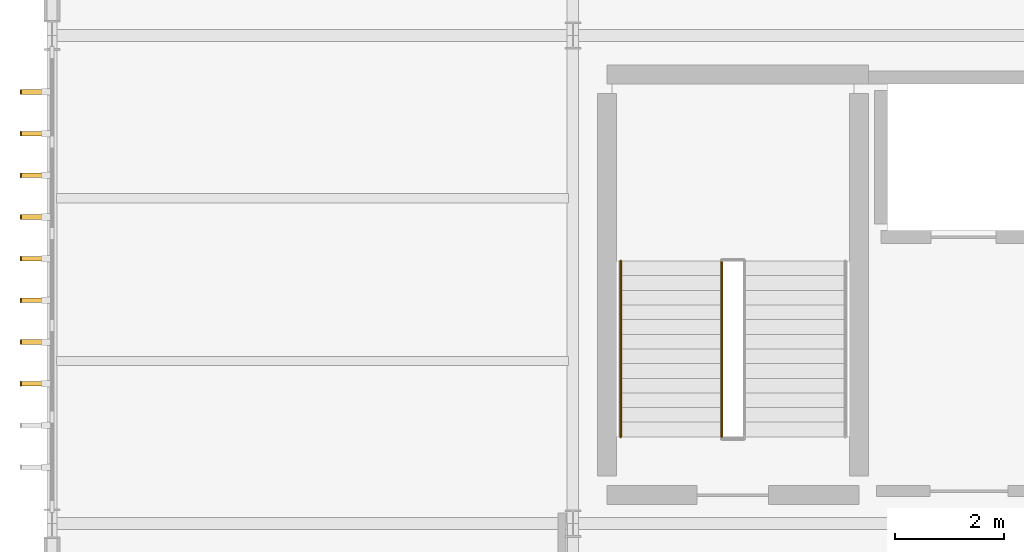
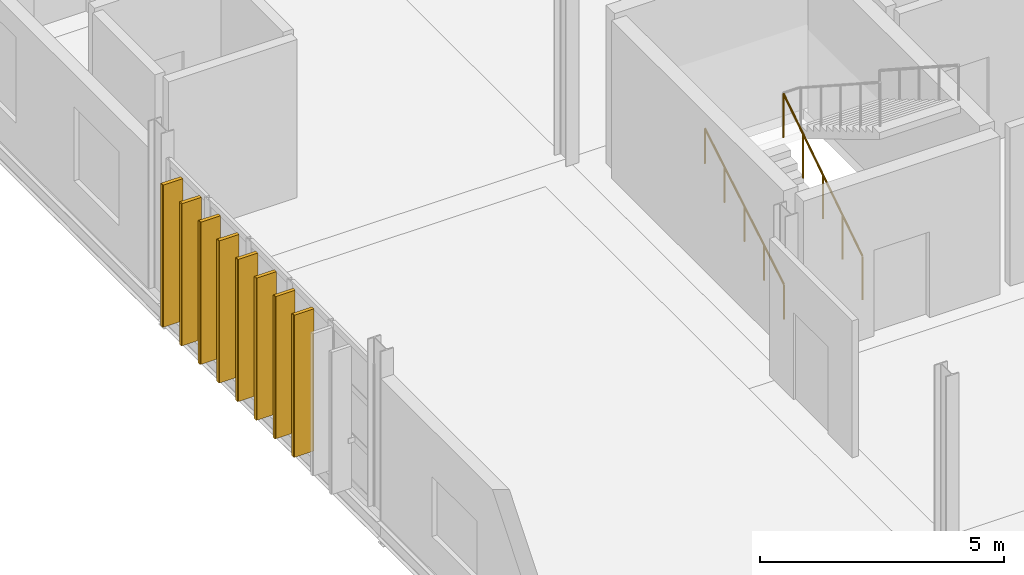
# One storey, part 43 of 52: 8 coverings, 8 shading devices, 2 railings.
"""IFC4 building model written with IfcOpenShell, lengths in metres."""

import ifcopenshell
import ifcopenshell.guid

model = None  # the IFC model being written
_history = None  # IfcOwnerHistory: only IFC2X3 demands one
_inside = {}  # id of a spatial element -> (the spatial element, [elements in it])
_under = {}  # id of a project, library or spatial element -> (it, [spatial elements below it])
_declared = {}  # id of a project -> (the project, [libraries it declares])
_typed = {}  # id of a type object -> (the type object, [elements of that type])
_made_of = {}  # id of a material, layer set ... -> (it, [elements and type objects made of it])


def new_model(schema):
    """Start an empty IFC model of exactly this schema.

    Asked for "IFC4X3", IfcOpenShell would pick the latest addendum, in which some entities
    have other attributes; the version numbers below select the first issue.
    IFC2X3 requires an IfcOwnerHistory on every rooted entity: one is made here for all.
    """
    global model, _history
    if schema == "IFC4X3":
        model = ifcopenshell.file(schema_version=(4, 3, 0, 0))
    else:
        model = ifcopenshell.file(schema=schema)
    _inside.clear()
    _under.clear()
    _declared.clear()
    _typed.clear()
    _made_of.clear()
    _history = None
    if model.schema == "IFC2X3":
        org = make("IfcOrganization", Name="unknown")
        user = make(
            "IfcPersonAndOrganization",
            ThePerson=make("IfcPerson", FamilyName="unknown"),
            TheOrganization=org,
        )
        app = make(
            "IfcApplication",
            ApplicationDeveloper=org,
            Version="unknown",
            ApplicationFullName="unknown",
            ApplicationIdentifier="unknown",
        )
        _history = make(
            "IfcOwnerHistory",
            OwningUser=user,
            OwningApplication=app,
            ChangeAction="ADDED",
            CreationDate=0,
        )
    return model


def make(cls, **values):
    """One entity of the class cls with the attributes given. An attribute that is None is left unset."""
    return model.create_entity(
        cls, **{name: value for name, value in values.items() if value is not None}
    )


def rooted(cls, **values):
    """An entity with a GlobalId (a new one), such as an element, a storey or a relation."""
    return make(cls, GlobalId=ifcopenshell.guid.new(), OwnerHistory=_history, **values)


def si_unit(unit_type, name, prefix=None):
    """IfcSIUnit, for example si_unit("LENGTHUNIT", "METRE", prefix="MILLI")."""
    return make("IfcSIUnit", UnitType=unit_type, Prefix=prefix, Name=name)


def assignment(units):
    """IfcUnitAssignment: the units of a project."""
    return None if units is None else make("IfcUnitAssignment", Units=units)


def point(xyz):
    """IfcCartesianPoint."""
    return None if xyz is None else make("IfcCartesianPoint", Coordinates=xyz)


def direction(xyz):
    """IfcDirection."""
    return None if xyz is None else make("IfcDirection", DirectionRatios=xyz)


def frame(location, z_axis=None, x_axis=None):
    """IfcAxis2Placement3D, a coordinate frame: its origin and axes. An axis left out is left unset."""
    return make(
        "IfcAxis2Placement3D",
        Location=point(location),
        Axis=direction(z_axis),
        RefDirection=direction(x_axis),
    )


def frame_2d(location, x_axis=None):
    """IfcAxis2Placement2D, a coordinate frame in the plane: its origin and x axis."""
    return make(
        "IfcAxis2Placement2D", Location=point(location), RefDirection=direction(x_axis)
    )


def origin():
    """The frame at (0, 0, 0) with its axes left unset."""
    return frame((0.0, 0.0, 0.0))


def origin_2d():
    """The frame at (0, 0) in the plane with its x axis left unset."""
    return frame_2d((0.0, 0.0))


def place(relative_to, where):
    """IfcLocalPlacement: puts the frame where relative to a parent placement (None: the world)."""
    return make(
        "IfcLocalPlacement", PlacementRelTo=relative_to, RelativePlacement=where
    )


def context(
    kind, dimensions, precision=None, world=None, true_north=None, identifier=None
):
    """IfcGeometricRepresentationContext, for example the 3D "Model" context."""
    return make(
        "IfcGeometricRepresentationContext",
        ContextIdentifier=identifier,
        ContextType=kind,
        CoordinateSpaceDimension=dimensions,
        Precision=precision,
        WorldCoordinateSystem=world,
        TrueNorth=true_north,
    )


def subcontext(parent, identifier, kind, view, scale=None):
    """IfcGeometricRepresentationSubContext, for example "Body" below "Model"."""
    return make(
        "IfcGeometricRepresentationSubContext",
        ContextIdentifier=identifier,
        ContextType=kind,
        ParentContext=parent,
        TargetScale=scale,
        TargetView=view,
    )


def project(units=None, contexts=None):
    """IfcProject with its units and contexts."""
    return rooted(
        "IfcProject",
        Name="project",
        RepresentationContexts=contexts,
        UnitsInContext=assignment(units),
    )


def spatial(cls, under=None, at=None, **own):
    """A site, building, storey or space (cls), placed at a placement, below another one or the project."""
    s = rooted(cls, ObjectPlacement=at, **own)
    if under is not None:
        _under.setdefault(under.id(), (under, []))[1].append(s)
    return s


def profile(cls, at=None, kind="AREA", **sizes):
    """A parametric profile (cls). Its sizes go by their IFC names, for example OverallWidth=200.0."""
    return make(cls, ProfileType=kind, Position=at, **sizes)


def rectangle(**sizes):
    """IfcRectangleProfileDef."""
    return profile("IfcRectangleProfileDef", **sizes)


def circle(**sizes):
    """IfcCircleProfileDef."""
    return profile("IfcCircleProfileDef", **sizes)


def extrude(swept, where, along, depth):
    """IfcExtrudedAreaSolid: the profile swept, set in the frame where, extruded along a direction by depth."""
    return make(
        "IfcExtrudedAreaSolid",
        SweptArea=swept,
        Position=where,
        ExtrudedDirection=direction(along),
        Depth=depth,
    )


def shape(context_of_items, identifier, shape_type, items):
    """IfcShapeRepresentation: the items that make up one representation, for example the "Body"."""
    return make(
        "IfcShapeRepresentation",
        ContextOfItems=context_of_items,
        RepresentationIdentifier=identifier,
        RepresentationType=shape_type,
        Items=items,
    )


def material(Name=None, Category=None):
    """IfcMaterial."""
    return make("IfcMaterial", Name=Name, Category=Category)


def layer(
    of_material, thickness, ventilated=None, Name=None, Category=None, Priority=None
):
    """IfcMaterialLayer: one layer of a wall or slab, of a material (None: an air gap)."""
    return make(
        "IfcMaterialLayer",
        Material=of_material,
        LayerThickness=thickness,
        IsVentilated=ventilated,
        Name=Name,
        Category=Category,
        Priority=Priority,
    )


def layer_set(layers, Name=None):
    """IfcMaterialLayerSet."""
    return make("IfcMaterialLayerSet", MaterialLayers=layers, LayerSetName=Name)


def made_of(thing, what):
    """Note that an element or type object is made of a material, layer set ...; save() writes the relation."""
    if what is not None:
        _made_of.setdefault(what.id(), (what, []))[1].append(thing)
    return thing


def type_object(cls, material=None, **own):
    """A type object (cls), such as IfcWallType, which elements share."""
    return made_of(rooted(cls, **own), material)


def element(
    cls,
    number,
    at=None,
    inside=None,
    cuts=None,
    type_object=None,
    material=None,
    context=None,
    identifier="Body",
    shape_type=None,
    held_by="IfcProductDefinitionShape",
    body=None,
    shapes=None,
    **own,
):
    """One element of the class cls, such as IfcWall. Its Tag is "e" and its number.

    at: its placement. inside: the storey or other place that contains it. cuts: it is an
    opening in that element (IfcRelVoidsElement). A single representation is given by context,
    identifier, shape_type and body (its items); several are given by shapes. held_by: the class
    of the entity that holds the representations. save() writes the other relations.
    """
    e = rooted(cls, Tag="e%d" % number, ObjectPlacement=at, **own)
    if body is not None:
        shapes = [shape(context, identifier, shape_type, body)]
    if shapes is not None:
        e.Representation = make(held_by, Representations=shapes)
    if inside is not None:
        _inside.setdefault(inside.id(), (inside, []))[1].append(e)
    if cuts is not None:
        rooted(
            "IfcRelVoidsElement", RelatingBuildingElement=cuts, RelatedOpeningElement=e
        )
    if type_object is not None:
        _typed.setdefault(type_object.id(), (type_object, []))[1].append(e)
    return made_of(e, material)


def aggregate(whole, parts):
    """IfcRelAggregates: a whole, such as a stair, and the parts it consists of."""
    return rooted("IfcRelAggregates", RelatingObject=whole, RelatedObjects=parts)


def save(model, path):
    """Write the relations noted so far, then the file.

    IfcRelAggregates (storeys below a building ...), IfcRelContainedInSpatialStructure (elements
    in a storey), IfcRelDefinesByType, IfcRelAssociatesMaterial and IfcRelDeclares: one each for
    every whole, place, type object, material and project.
    """
    for whole, parts in _under.values():
        aggregate(whole, parts)
    for where, things in _inside.values():
        rooted(
            "IfcRelContainedInSpatialStructure",
            RelatedElements=things,
            RelatingStructure=where,
        )
    for kind, things in _typed.values():
        rooted("IfcRelDefinesByType", RelatedObjects=things, RelatingType=kind)
    for what, things in _made_of.values():
        rooted("IfcRelAssociatesMaterial", RelatedObjects=things, RelatingMaterial=what)
    for by, libraries in _declared.values():
        rooted("IfcRelDeclares", RelatingContext=by, RelatedDefinitions=libraries)
    model.write(path)


model = new_model("IFC4")

# Units and contexts
model_context = context("Model", 3, precision=1e-05, world=origin(), true_north=direction((0.0, 1.0)))
body_context = subcontext(model_context, "Body", "Model", "MODEL_VIEW")
ifc_project = project(units=[si_unit("LENGTHUNIT", "METRE"), si_unit("AREAUNIT", "SQUARE_METRE"), si_unit("VOLUMEUNIT", "CUBIC_METRE"), si_unit("PLANEANGLEUNIT", "RADIAN"), si_unit("MASSUNIT", "GRAM", prefix="KILO")], contexts=[model_context])

# Site, building, storey
site_placement = place(None, origin())
site = spatial("IfcSite", under=ifc_project, at=site_placement, CompositionType="ELEMENT")
building_placement = place(site_placement, origin())
building = spatial("IfcBuilding", under=site, at=building_placement, Name="Zarnetskaya Central Station", CompositionType="ELEMENT")
storey_placement = place(building_placement, frame((0.0, 0.0, 14.39990234375)))
storey = spatial("IfcBuildingStorey", under=building, at=storey_placement, Name="L03", CompositionType="ELEMENT", Elevation=14.39990234375)

# Coverings
ifc_material_1 = material(Name="Treated larch timber", Category="wood")
ifc_layer = layer(ifc_material_1, 0.02001953125, Name="Treated larch timber", Category="wood")
ifc_layer_set = layer_set([ifc_layer], Name="Treated larch timber")
covering_type = type_object("IfcCoveringType", Name="COV-LARCH-CAP", PredefinedType="CLADDING", material=ifc_layer_set)
for number, where, z_axis, x_axis, name in (
    (1, (-0.580078125, 15.779541015625, 0.0), (0.0, 0.0, 1.0), (0.0, 1.0, 0.0), "Larch fin weather cap CW-L03-032-03"),
    (2, (-0.580078125, 16.547607421875, 0.0), (0.0, 0.0, 1.0), (0.0, 1.0, 0.0), "Larch fin weather cap CW-L03-032-04"),
    (3, (-0.580078125, 17.31591796875, 0.0), (0.0, 0.0, 1.0), (0.0, 1.0, 0.0), "Larch fin weather cap CW-L03-032-05"),
    (4, (-0.580078125, 18.083984375, 0.0), (0.0, 0.0, 1.0), (0.0, 1.0, 0.0), "Larch fin weather cap CW-L03-032-06"),
    (5, (-0.580078125, 18.852294921875, 0.0), (0.0, 0.0, 1.0), (0.0, 1.0, 0.0), "Larch fin weather cap CW-L03-032-07"),
    (6, (-0.580078125, 19.620361328125, 0.0), (0.0, 0.0, 1.0), (0.0, 1.0, 0.0), "Larch fin weather cap CW-L03-032-08"),
    (7, (-0.580078125, 20.388671875, 0.0), (0.0, 0.0, 1.0), (0.0, 1.0, 0.0), "Larch fin weather cap CW-L03-032-09"),
    (8, (-0.580078125, 21.15673828125, 0.0), (0.0, 0.0, 1.0), (0.0, 1.0, 0.0), "Larch fin weather cap CW-L03-032-10"),
):
    element("IfcCovering", number, at=place(storey_placement, frame(where, z_axis=z_axis, x_axis=x_axis)), inside=storey, type_object=covering_type, Name=name, PredefinedType="CLADDING", context=body_context, shape_type="SweptSolid", body=[
        extrude(rectangle(XDim=0.0849609375, YDim=0.02001953125, at=origin_2d()), origin(), (0.0, 0.0, 1.0), 3.56005859375),
    ])

# Railings
ifc_material_2 = material(Name="Steel S355", Category="steel")
railing_type_1 = type_object("IfcRailingType", Name="RAIL-HAND-900", PredefinedType="HANDRAIL", material=ifc_material_2)
railing_1_placement = place(storey_placement, frame((10.47998046875, 14.800048828125, 0.16162109375)))
element("IfcRailing", 9, at=railing_1_placement, inside=storey, type_object=railing_type_1, Name="Stair ST-C1 L03 flight 1 handrail", PredefinedType="HANDRAIL", context=body_context, shape_type="SweptSolid", body=[
    extrude(circle(Radius=0.02392578125, at=origin_2d()), frame((0.0, 0.0, 0.8759765625), z_axis=(0.0, 0.858136976317, 0.513420811691), x_axis=(-1.0, 0.0, 0.0)), (0.0, 0.0, 1.0), 3.775634765625),
    extrude(circle(Radius=0.02099609375, at=origin_2d()), origin(), (0.0, 0.0, 1.0), 0.851806640625),
    extrude(circle(Radius=0.02099609375, at=origin_2d()), frame((0.0, 0.81005859375, 0.484619140625)), (0.0, 0.0, 1.0), 0.851806640625),
    extrude(circle(Radius=0.02099609375, at=origin_2d()), frame((0.0, 1.6201171875, 0.96923828125)), (0.0, 0.0, 1.0), 0.851806640625),
    extrude(circle(Radius=0.02099609375, at=origin_2d()), frame((0.0, 2.429931640625, 1.453857421875)), (0.0, 0.0, 1.0), 0.851806640625),
    extrude(circle(Radius=0.02099609375, at=origin_2d()), frame((0.0, 3.239990234375, 1.9384765625)), (0.0, 0.0, 1.0), 0.851806640625),
])
railing_type_2 = type_object("IfcRailingType", Name="RAIL-STAIR-GRD", PredefinedType="BALUSTRADE", material=ifc_material_2)
railing_2_placement = place(storey_placement, frame((12.340087890625, 14.800048828125, 0.0)))
element("IfcRailing", 10, at=railing_2_placement, inside=storey, type_object=railing_type_2, Name="Stair ST-C1 L03 flight 1 well guard", PredefinedType="BALUSTRADE", context=body_context, shape_type="SweptSolid", body=[
    extrude(circle(Radius=0.02392578125, at=origin_2d()), frame((0.0, 0.0, 1.09619140625), z_axis=(0.0, 0.839140694364, 0.543914418877), x_axis=(-1.0, 0.0, 0.0)), (0.0, 0.0, 1.0), 3.861083984375),
    extrude(circle(Radius=0.02099609375, at=origin_2d()), origin(), (0.0, 0.0, 1.0), 1.072021484375),
    extrude(circle(Radius=0.02099609375, at=origin_2d()), frame((0.0, 0.81005859375, 0.52490234375)), (0.0, 0.0, 1.0), 1.072021484375),
    extrude(circle(Radius=0.02099609375, at=origin_2d()), frame((0.0, 1.6201171875, 1.050048828125)), (0.0, 0.0, 1.0), 1.072021484375),
    extrude(circle(Radius=0.02099609375, at=origin_2d()), frame((0.0, 2.429931640625, 1.5751953125)), (0.0, 0.0, 1.0), 1.072021484375),
    extrude(circle(Radius=0.02099609375, at=origin_2d()), frame((0.0, 3.239990234375, 2.10009765625)), (0.0, 0.0, 1.0), 1.072021484375),
])

# Shading devices
ifc_material_3 = material(Name="Larch glulam GL28h", Category="wood")
shading_device_type = type_object("IfcShadingDeviceType", Name="SHD-LARCH-FIN-B", PredefinedType="USERDEFINED", material=ifc_material_3)
for number, where, z_axis, x_axis, name in (
    (11, (-0.340087890625, 15.779541015625, 0.0), (0.0, 0.0, 1.0), (0.0, 1.0, 0.0), "Vertical larch timber fin CW-L03-032-03"),
    (12, (-0.340087890625, 16.547607421875, 0.0), (0.0, 0.0, 1.0), (0.0, 1.0, 0.0), "Vertical larch timber fin CW-L03-032-04"),
    (13, (-0.340087890625, 17.31591796875, 0.0), (0.0, 0.0, 1.0), (0.0, 1.0, 0.0), "Vertical larch timber fin CW-L03-032-05"),
    (14, (-0.340087890625, 18.083984375, 0.0), (0.0, 0.0, 1.0), (0.0, 1.0, 0.0), "Vertical larch timber fin CW-L03-032-06"),
    (15, (-0.340087890625, 18.852294921875, 0.0), (0.0, 0.0, 1.0), (0.0, 1.0, 0.0), "Vertical larch timber fin CW-L03-032-07"),
    (16, (-0.340087890625, 19.620361328125, 0.0), (0.0, 0.0, 1.0), (0.0, 1.0, 0.0), "Vertical larch timber fin CW-L03-032-08"),
    (17, (-0.340087890625, 20.388671875, 0.0), (0.0, 0.0, 1.0), (0.0, 1.0, 0.0), "Vertical larch timber fin CW-L03-032-09"),
    (18, (-0.340087890625, 21.15673828125, 0.0), (0.0, 0.0, 1.0), (0.0, 1.0, 0.0), "Vertical larch timber fin CW-L03-032-10"),
):
    element("IfcShadingDevice", number, at=place(storey_placement, frame(where, z_axis=z_axis, x_axis=x_axis)), inside=storey, type_object=shading_device_type, Name=name, ObjectType="TIMBER FIN", PredefinedType="USERDEFINED", context=body_context, shape_type="SweptSolid", body=[
        extrude(rectangle(XDim=0.0849609375, YDim=0.4599609375, at=origin_2d()), origin(), (0.0, 0.0, 1.0), 3.56005859375),
    ])

save(model, "model.ifc")
